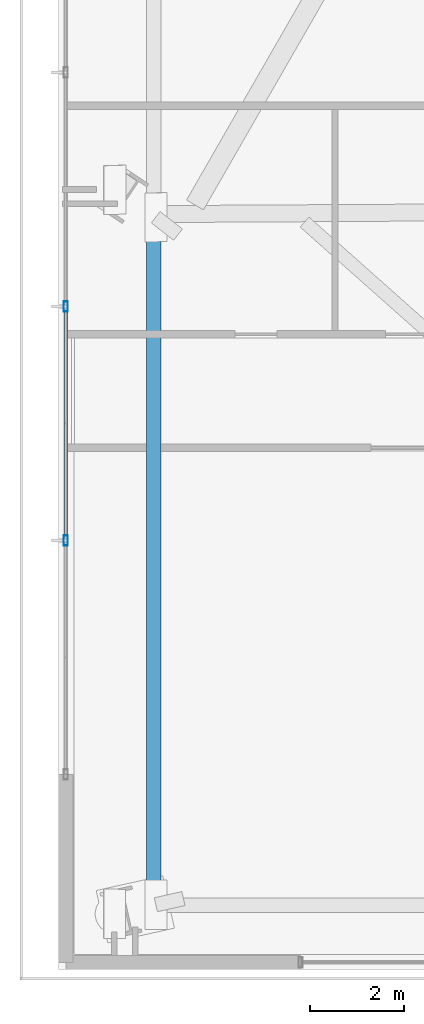
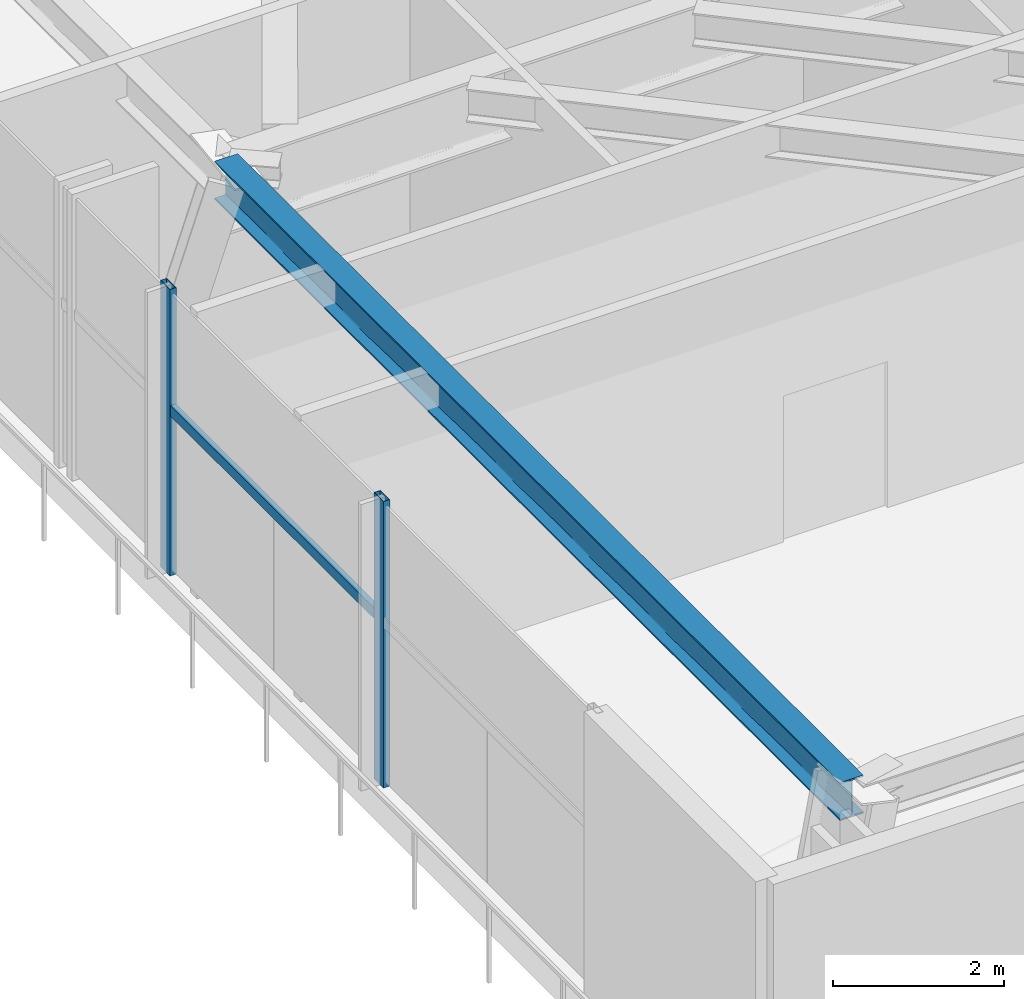
# One storey, part 4 of 33: 3 members, 1 beam, 1 element without a shape of its own.
"""IFC4 building model written with IfcOpenShell, lengths in metres."""

from ifc_helpers import new_model, si_unit, direction, frame, origin, origin_2d, place, context, subcontext, project, spatial, hollow_rectangle, i_section, extrude, source, transform, mapped, material, material_profile, profile_set, type_object, type_shapes, element, aggregate, save


model = new_model("IFC4")

# Units and contexts
model_context = context("Model", 3, precision=1e-05, world=origin(), true_north=direction((0.0, 1.0)))
body_context = subcontext(model_context, "Body", "Model", "MODEL_VIEW")
ifc_project = project(units=[si_unit("LENGTHUNIT", "METRE"), si_unit("AREAUNIT", "SQUARE_METRE"), si_unit("VOLUMEUNIT", "CUBIC_METRE"), si_unit("PLANEANGLEUNIT", "RADIAN"), si_unit("MASSUNIT", "GRAM", prefix="KILO")], contexts=[model_context])

# Site, building, storey
site_placement = place(None, origin())
site = spatial("IfcSite", under=ifc_project, at=site_placement, CompositionType="ELEMENT")
building_placement = place(site_placement, origin())
building = spatial("IfcBuilding", under=site, at=building_placement, Name="Astriad Promenade Condominiums", CompositionType="ELEMENT")
storey_placement = place(building_placement, frame((0.0, 0.0, 9.5)))
storey = spatial("IfcBuildingStorey", under=building, at=storey_placement, Name="L02", CompositionType="ELEMENT", Elevation=9.5)

# Beam
ifc_material_1 = material(Name="Steel ASTM A992 Grade 50", Category="steel")
ifc_material_profile_1 = material_profile(ifc_material_1, i_section(OverallWidth=0.3134765625, OverallDepth=0.54638671875, WebThickness=0.013916015625, FlangeThickness=0.022216796875, FilletRadius=0.0166015625, at=origin_2d()), Name="W21X111")
ifc_profile_set_1 = profile_set([ifc_material_profile_1], Name="Steel ASTM A992 Grade 50")
beam_type = type_object("IfcBeamType", Name="STEEL SPANDREL BEAM W21X111", PredefinedType="SPANDREL", material=ifc_profile_set_1)
shared_shape_1 = source(origin(), body_context, "Body", "SweptSolid", [
    extrude(i_section(OverallWidth=0.3134765625, OverallDepth=0.54638671875, WebThickness=0.013916015625, FlangeThickness=0.022216796875, FilletRadius=0.0166015625, at=origin_2d()), origin(), (0.0, 0.0, 1.0), 14.593505859375),
])
type_shapes(beam_type, [shared_shape_1])
beam_placement = place(storey_placement, frame((4.61962890625, 17.2001953125, 3.806884765625), z_axis=(0.0, -1.0, 0.0), x_axis=(1.0, 0.0, 0.0)))
element("IfcBeam", 1, at=beam_placement, inside=storey, type_object=beam_type, Name="Perimeter Spandrel Beam SP-W1-L02", PredefinedType="SPANDREL", context=body_context, shape_type="MappedRepresentation", body=[
    mapped(shared_shape_1, transform((0.0, 0.0, 0.0), scale=1.0)),
])

# Curtain wall, members
ifc_material_2 = material(Name="Anodised aluminium Black Dark Glass Unitised", Category="aluminium")
curtain_wall_type = type_object("IfcCurtainWallType", Name="CW-POD-DARK", PredefinedType="USERDEFINED", material=ifc_material_2)
curtain_wall_placement = place(storey_placement, origin())
curtain_wall = element("IfcCurtainWall", 2, at=curtain_wall_placement, inside=storey, type_object=curtain_wall_type, Name="CW-L02-W", ObjectType="UNITISED_CURTAIN_WALL", PredefinedType="USERDEFINED")
ifc_material_3 = material(Name="Anodised aluminium 6063-T6 Black", Category="aluminium")
ifc_material_profile_2 = material_profile(ifc_material_3, hollow_rectangle(XDim=0.0849609375, YDim=0.219970703125, WallThickness=0.0048828125, at=origin_2d()), Name="ALU-MUL-85X220")
ifc_profile_set_2 = profile_set([ifc_material_profile_2], Name="Anodised aluminium 6063-T6 Black")
member_type_1 = type_object("IfcMemberType", Name="MUL-ALU-MUL-85X220", PredefinedType="MULLION", material=ifc_profile_set_2)
shared_shape_2 = source(origin(), body_context, "Body", "SweptSolid", [
    extrude(hollow_rectangle(XDim=0.0849609375, YDim=0.219970703125, WallThickness=0.0048828125, at=origin_2d()), origin(), (0.0, 0.0, 1.0), 4.080078125),
])
type_shapes(member_type_1, [shared_shape_2])
member_1_placement = place(storey_placement, frame((2.75, 10.330078125, 0.0), z_axis=(0.0, 0.0, 1.0), x_axis=(1.0, 0.0, 0.0)))
member_1 = element("IfcMember", 3, at=member_1_placement, type_object=member_type_1, Name="CW-L02-W-MUL-01", PredefinedType="MULLION", context=body_context, shape_type="MappedRepresentation", body=[
    mapped(shared_shape_2, transform((0.0, 0.0, 0.0), scale=1.0)),
])
member_2_placement = place(storey_placement, frame((2.75, 15.31005859375, 0.0), z_axis=(0.0, 0.0, 1.0), x_axis=(1.0, 0.0, 0.0)))
member_2 = element("IfcMember", 4, at=member_2_placement, type_object=member_type_1, Name="CW-L02-W-MUL-02", PredefinedType="MULLION", context=body_context, shape_type="MappedRepresentation", body=[
    mapped(shared_shape_2, transform((0.0, 0.0, 0.0), scale=1.0)),
])
ifc_material_profile_3 = material_profile(ifc_material_3, hollow_rectangle(XDim=0.074951171875, YDim=0.14990234375, WallThickness=0.004150390625, at=origin_2d()), Name="ALU-TRN-75X150")
ifc_profile_set_3 = profile_set([ifc_material_profile_3], Name="Anodised aluminium 6063-T6 Black")
member_type_2 = type_object("IfcMemberType", Name="TRN-ALU-TRN-75X150", PredefinedType="USERDEFINED", material=ifc_profile_set_3)
shared_shape_3 = source(origin(), body_context, "Body", "SweptSolid", [
    extrude(hollow_rectangle(XDim=0.074951171875, YDim=0.14990234375, WallThickness=0.004150390625, at=origin_2d()), origin(), (0.0, 0.0, 1.0), 4.97998046875),
])
type_shapes(member_type_2, [shared_shape_3])
member_3_placement = place(storey_placement, frame((2.75, 10.330078125, 2.35009765625), z_axis=(0.0, 1.0, 0.0), x_axis=(-1.0, 0.0, 0.0)))
member_3 = element("IfcMember", 5, at=member_3_placement, type_object=member_type_2, Name="CW-L02-W-TRN-01-0", ObjectType="TRANSOM", PredefinedType="USERDEFINED", context=body_context, shape_type="MappedRepresentation", body=[
    mapped(shared_shape_3, transform((0.0, 0.0, 0.0), scale=1.0)),
])
aggregate(curtain_wall, [member_1, member_2, member_3])

save(model, "model.ifc")
